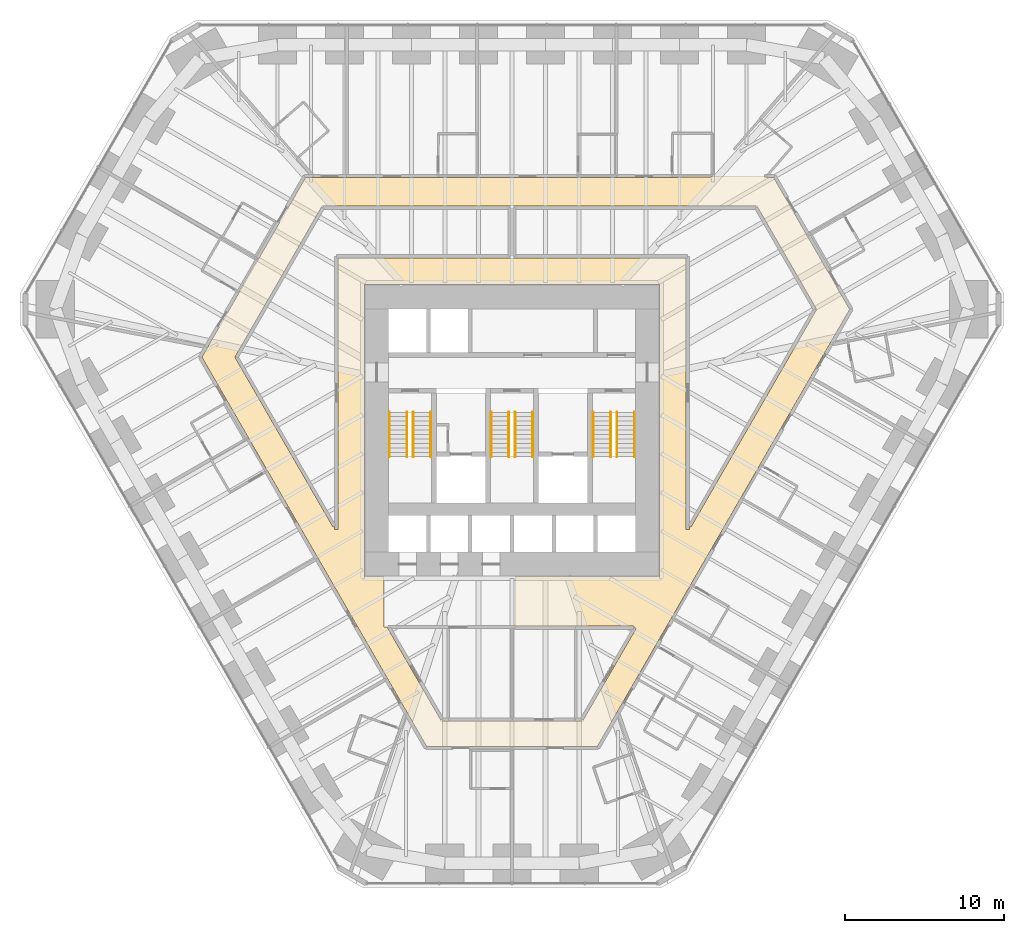
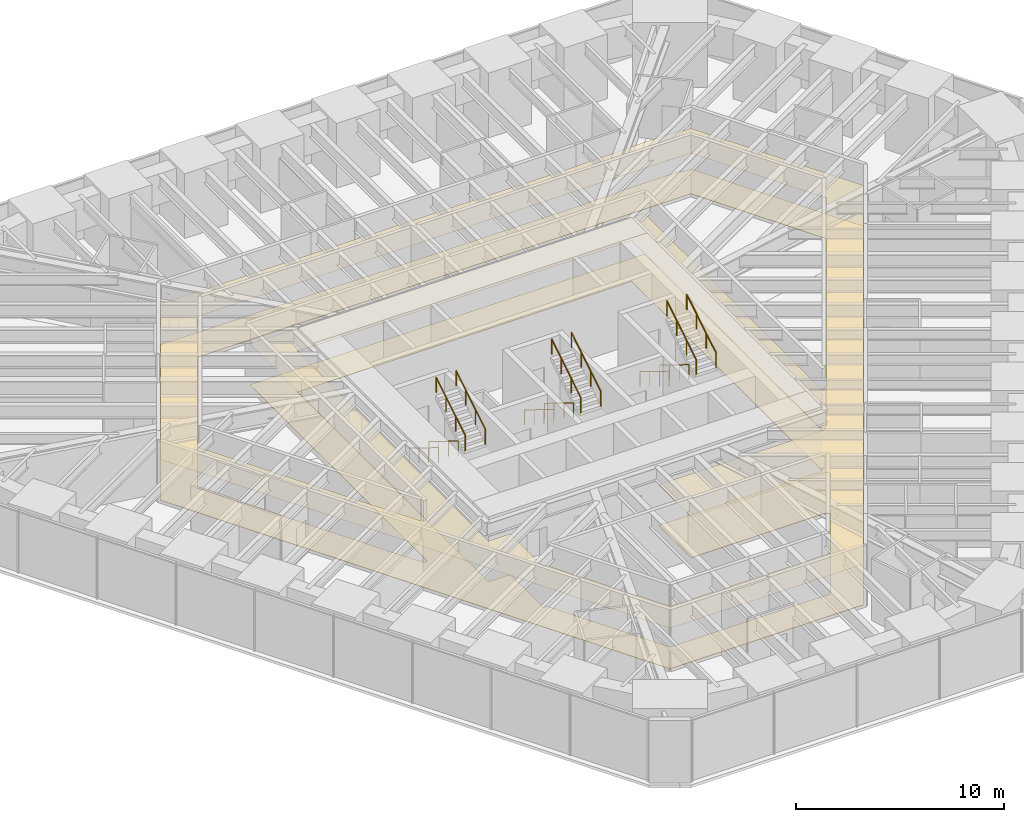
# One storey, part 17 of 17: 12 railings, 2 coverings.
"""IFC4 building model written with IfcOpenShell, lengths in metres."""

from ifc_helpers import new_model, si_unit, direction, frame, origin, origin_2d, place, context, subcontext, project, spatial, polyline, circle, outline, extrude, material, layer, layer_set, type_object, element, save


model = new_model("IFC4")

# Units and contexts
model_context = context("Model", 3, precision=1e-05, world=origin(), true_north=direction((0.0, 1.0)))
body_context = subcontext(model_context, "Body", "Model", "MODEL_VIEW")
ifc_project = project(units=[si_unit("LENGTHUNIT", "METRE"), si_unit("AREAUNIT", "SQUARE_METRE"), si_unit("VOLUMEUNIT", "CUBIC_METRE"), si_unit("PLANEANGLEUNIT", "RADIAN"), si_unit("MASSUNIT", "GRAM", prefix="KILO")], contexts=[model_context])

# Site, building, storey
site_placement = place(None, origin())
site = spatial("IfcSite", under=ifc_project, at=site_placement, CompositionType="ELEMENT")
building_placement = place(site_placement, origin())
building = spatial("IfcBuilding", under=site, at=building_placement, Name="Sandreach Pilgrim Tower", CompositionType="ELEMENT")
storey_placement = place(building_placement, frame((0.0, 0.0, 34.39990234375)))
storey = spatial("IfcBuildingStorey", under=building, at=storey_placement, Name="L07", CompositionType="ELEMENT", Elevation=34.39990234375)

# Covering
ifc_material_1 = material(Name="Gypsum board suspended ceiling on a steel grid", Category="steel")
ifc_layer_1 = layer(ifc_material_1, 0.012939453125)
ifc_layer_set_1 = layer_set([ifc_layer_1], Name="Gypsum board suspended ceiling")
covering_type_1 = type_object("IfcCoveringType", Name="Gypsum board suspended ceiling", PredefinedType="CEILING", material=ifc_layer_set_1)
covering_1_placement = place(storey_placement, frame((0.0, 0.0, 2.400146484375)))
element("IfcCovering", 1, at=covering_1_placement, inside=storey, type_object=covering_type_1, Name="Ceiling 07C Corridor 07", PredefinedType="CEILING", context=body_context, shape_type="SweptSolid", body=[
    extrude(outline(polyline([(-12.972412109375, 14.35009765625), (10.080078125, 14.35009765625), (11.064697265625, 14.389892578125), (12.510009765625, 14.389892578125), (12.510009765625, 14.44873046875), (12.55517578125, 14.410400390625), (12.588623046875, 14.44873046875), (15.8701171875, 14.44873046875), (15.8701171875, 14.389892578125), (15.959228515625, 14.389892578125), (16.02001953125, 14.35009765625), (16.442138671875, 14.35009765625), (21.224609375, 6.06005859375), (5.3623046875, -21.409912109375), (-5.3623046875, -21.409912109375), (-19.49462890625, 3.06005859375), (-12.972412109375, 14.35009765625)]), holes=[polyline([(-17.41552734375, 3.06005859375), (-11.24658203125, -7.61962890625), (-11.14990234375, -7.563720703125), (-11.14990234375, -7.760009765625), (-10.949951171875, -7.760009765625), (-10.949951171875, 9.300048828125), (10.949951171875, 9.300048828125), (10.949951171875, -7.760009765625), (11.14990234375, -7.760009765625), (11.14990234375, -7.563720703125), (11.24658203125, -7.61962890625), (19.1455078125, 6.06005859375), (15.397705078125, 12.550048828125), (-11.937744140625, 12.550048828125), (-17.41552734375, 3.06005859375)]), polyline([(-8.050048828125, -10.719970703125), (-8.050048828125, -13.89990234375), (-7.8544921875, -13.89990234375), (-4.437744140625, -19.81005859375), (4.437744140625, -19.81005859375), (7.796630859375, -14.0), (7.635009765625, -13.85009765625), (0.179931640625, -13.85009765625), (0.175048828125, -10.719970703125), (9.27001953125, -10.719970703125), (9.27001953125, 7.6201171875), (-9.27001953125, 7.6201171875), (-9.27001953125, -10.719970703125), (-8.050048828125, -10.719970703125)])]), origin(), (0.0, 0.0, 1.0), 0.012939453125),
])

# Railings
ifc_material_2 = material(Name="Stainless steel tube", Category="steel")
railing_type = type_object("IfcRailingType", Name="Stair handrail", PredefinedType="HANDRAIL", material=ifc_material_2)
for number, where, name in (
    (2, (-6.60009765625, -0.39990234375, 0.1728515625), "Handrail ST1 L07 flight 1"),
    (3, (-7.699951171875, -0.39990234375, 0.1728515625), "Handrail ST1 L07 flight 1"),
):
    element("IfcRailing", number, at=place(storey_placement, frame(where)), inside=storey, type_object=railing_type, Name=name, PredefinedType="HANDRAIL", context=body_context, shape_type="SweptSolid", body=[
        extrude(circle(Radius=0.02392578125, at=origin_2d()), frame((0.0, 0.0, 0.8759765625), z_axis=(0.0, -0.851089632645, 0.525020415988), x_axis=(1.0, 0.0, 0.0)), (0.0, 0.0, 1.0), 3.2900390625),
        extrude(circle(Radius=0.02099609375, at=origin_2d()), origin(), (0.0, 0.0, 1.0), 0.851806640625),
        extrude(circle(Radius=0.02099609375, at=origin_2d()), frame((0.0, -0.933349609375, 0.57568359375)), (0.0, 0.0, 1.0), 0.851806640625),
        extrude(circle(Radius=0.02099609375, at=origin_2d()), frame((0.0, -1.86669921875, 1.151611328125)), (0.0, 0.0, 1.0), 0.851806640625),
        extrude(circle(Radius=0.02099609375, at=origin_2d()), frame((0.0, -2.800048828125, 1.727294921875)), (0.0, 0.0, 1.0), 0.851806640625),
    ])
for number, where, name in (
    (4, (-6.199951171875, -3.199951171875, 2.07275390625), "Handrail ST1 L07 flight 2"),
    (5, (-5.10009765625, -3.199951171875, 2.07275390625), "Handrail ST1 L07 flight 2"),
):
    element("IfcRailing", number, at=place(storey_placement, frame(where)), inside=storey, type_object=railing_type, Name=name, PredefinedType="HANDRAIL", context=body_context, shape_type="SweptSolid", body=[
        extrude(circle(Radius=0.02392578125, at=origin_2d()), frame((0.0, 0.0, 0.8759765625), z_axis=(0.0, 0.851089632645, 0.525020415988), x_axis=(-1.0, 0.0, 0.0)), (0.0, 0.0, 1.0), 3.2900390625),
        extrude(circle(Radius=0.02099609375, at=origin_2d()), origin(), (0.0, 0.0, 1.0), 0.851806640625),
        extrude(circle(Radius=0.02099609375, at=origin_2d()), frame((0.0, 0.933349609375, 0.57568359375)), (0.0, 0.0, 1.0), 0.851806640625),
        extrude(circle(Radius=0.02099609375, at=origin_2d()), frame((0.0, 1.86669921875, 1.151611328125)), (0.0, 0.0, 1.0), 0.851806640625),
        extrude(circle(Radius=0.02099609375, at=origin_2d()), frame((0.0, 2.800048828125, 1.727294921875)), (0.0, 0.0, 1.0), 0.851806640625),
    ])
for number, where, name in (
    (6, (-0.199951171875, -0.39990234375, 0.1728515625), "Handrail ST3 L07 flight 1"),
    (7, (-1.300048828125, -0.39990234375, 0.1728515625), "Handrail ST3 L07 flight 1"),
):
    element("IfcRailing", number, at=place(storey_placement, frame(where)), inside=storey, type_object=railing_type, Name=name, PredefinedType="HANDRAIL", context=body_context, shape_type="SweptSolid", body=[
        extrude(circle(Radius=0.02392578125, at=origin_2d()), frame((0.0, 0.0, 0.8759765625), z_axis=(0.0, -0.851089632645, 0.525020415988), x_axis=(1.0, 0.0, 0.0)), (0.0, 0.0, 1.0), 3.2900390625),
        extrude(circle(Radius=0.02099609375, at=origin_2d()), origin(), (0.0, 0.0, 1.0), 0.851806640625),
        extrude(circle(Radius=0.02099609375, at=origin_2d()), frame((0.0, -0.933349609375, 0.57568359375)), (0.0, 0.0, 1.0), 0.851806640625),
        extrude(circle(Radius=0.02099609375, at=origin_2d()), frame((0.0, -1.86669921875, 1.151611328125)), (0.0, 0.0, 1.0), 0.851806640625),
        extrude(circle(Radius=0.02099609375, at=origin_2d()), frame((0.0, -2.800048828125, 1.727294921875)), (0.0, 0.0, 1.0), 0.851806640625),
    ])
for number, where, name in (
    (8, (0.199951171875, -3.199951171875, 2.07275390625), "Handrail ST3 L07 flight 2"),
    (9, (1.300048828125, -3.199951171875, 2.07275390625), "Handrail ST3 L07 flight 2"),
):
    element("IfcRailing", number, at=place(storey_placement, frame(where)), inside=storey, type_object=railing_type, Name=name, PredefinedType="HANDRAIL", context=body_context, shape_type="SweptSolid", body=[
        extrude(circle(Radius=0.02392578125, at=origin_2d()), frame((0.0, 0.0, 0.8759765625), z_axis=(0.0, 0.851089632645, 0.525020415988), x_axis=(-1.0, 0.0, 0.0)), (0.0, 0.0, 1.0), 3.2900390625),
        extrude(circle(Radius=0.02099609375, at=origin_2d()), origin(), (0.0, 0.0, 1.0), 0.851806640625),
        extrude(circle(Radius=0.02099609375, at=origin_2d()), frame((0.0, 0.933349609375, 0.57568359375)), (0.0, 0.0, 1.0), 0.851806640625),
        extrude(circle(Radius=0.02099609375, at=origin_2d()), frame((0.0, 1.86669921875, 1.151611328125)), (0.0, 0.0, 1.0), 0.851806640625),
        extrude(circle(Radius=0.02099609375, at=origin_2d()), frame((0.0, 2.800048828125, 1.727294921875)), (0.0, 0.0, 1.0), 0.851806640625),
    ])
for number, where, name in (
    (10, (6.199951171875, -0.39990234375, 0.1728515625), "Handrail ST2 L07 flight 1"),
    (11, (5.10009765625, -0.39990234375, 0.1728515625), "Handrail ST2 L07 flight 1"),
):
    element("IfcRailing", number, at=place(storey_placement, frame(where)), inside=storey, type_object=railing_type, Name=name, PredefinedType="HANDRAIL", context=body_context, shape_type="SweptSolid", body=[
        extrude(circle(Radius=0.02392578125, at=origin_2d()), frame((0.0, 0.0, 0.8759765625), z_axis=(0.0, -0.851089632645, 0.525020415988), x_axis=(1.0, 0.0, 0.0)), (0.0, 0.0, 1.0), 3.2900390625),
        extrude(circle(Radius=0.02099609375, at=origin_2d()), origin(), (0.0, 0.0, 1.0), 0.851806640625),
        extrude(circle(Radius=0.02099609375, at=origin_2d()), frame((0.0, -0.933349609375, 0.57568359375)), (0.0, 0.0, 1.0), 0.851806640625),
        extrude(circle(Radius=0.02099609375, at=origin_2d()), frame((0.0, -1.86669921875, 1.151611328125)), (0.0, 0.0, 1.0), 0.851806640625),
        extrude(circle(Radius=0.02099609375, at=origin_2d()), frame((0.0, -2.800048828125, 1.727294921875)), (0.0, 0.0, 1.0), 0.851806640625),
    ])
for number, where, name in (
    (12, (6.60009765625, -3.199951171875, 2.07275390625), "Handrail ST2 L07 flight 2"),
    (13, (7.699951171875, -3.199951171875, 2.07275390625), "Handrail ST2 L07 flight 2"),
):
    element("IfcRailing", number, at=place(storey_placement, frame(where)), inside=storey, type_object=railing_type, Name=name, PredefinedType="HANDRAIL", context=body_context, shape_type="SweptSolid", body=[
        extrude(circle(Radius=0.02392578125, at=origin_2d()), frame((0.0, 0.0, 0.8759765625), z_axis=(0.0, 0.851089632645, 0.525020415988), x_axis=(-1.0, 0.0, 0.0)), (0.0, 0.0, 1.0), 3.2900390625),
        extrude(circle(Radius=0.02099609375, at=origin_2d()), origin(), (0.0, 0.0, 1.0), 0.851806640625),
        extrude(circle(Radius=0.02099609375, at=origin_2d()), frame((0.0, 0.933349609375, 0.57568359375)), (0.0, 0.0, 1.0), 0.851806640625),
        extrude(circle(Radius=0.02099609375, at=origin_2d()), frame((0.0, 1.86669921875, 1.151611328125)), (0.0, 0.0, 1.0), 0.851806640625),
        extrude(circle(Radius=0.02099609375, at=origin_2d()), frame((0.0, 2.800048828125, 1.727294921875)), (0.0, 0.0, 1.0), 0.851806640625),
    ])

# Covering
ifc_material_3 = material(Name="Cement terrazzo, ground and polished", Category="terrazzo")
ifc_layer_2 = layer(ifc_material_3, 0.02490234375)
ifc_layer_set_2 = layer_set([ifc_layer_2], Name="Terrazzo")
covering_type_2 = type_object("IfcCoveringType", Name="Terrazzo", PredefinedType="FLOORING", material=ifc_layer_set_2)
covering_2_placement = place(storey_placement, origin())
element("IfcCovering", 14, at=covering_2_placement, inside=storey, type_object=covering_type_2, Name="Floor finish 07C Corridor 07", PredefinedType="FLOORING", context=body_context, shape_type="SweptSolid", body=[
    extrude(outline(polyline([(-12.972412109375, 14.35009765625), (10.080078125, 14.35009765625), (11.064697265625, 14.389892578125), (12.510009765625, 14.389892578125), (12.510009765625, 14.44873046875), (12.55517578125, 14.410400390625), (12.588623046875, 14.44873046875), (15.8701171875, 14.44873046875), (15.8701171875, 14.389892578125), (15.959228515625, 14.389892578125), (16.02001953125, 14.35009765625), (16.442138671875, 14.35009765625), (21.224609375, 6.06005859375), (5.3623046875, -21.409912109375), (-5.3623046875, -21.409912109375), (-19.49462890625, 3.06005859375), (-12.972412109375, 14.35009765625)]), holes=[polyline([(-17.41552734375, 3.06005859375), (-11.24658203125, -7.61962890625), (-11.14990234375, -7.563720703125), (-11.14990234375, -7.760009765625), (-10.949951171875, -7.760009765625), (-10.949951171875, 9.300048828125), (10.949951171875, 9.300048828125), (10.949951171875, -7.760009765625), (11.14990234375, -7.760009765625), (11.14990234375, -7.563720703125), (11.24658203125, -7.61962890625), (19.1455078125, 6.06005859375), (15.397705078125, 12.550048828125), (-11.937744140625, 12.550048828125), (-17.41552734375, 3.06005859375)]), polyline([(-8.050048828125, -10.719970703125), (-8.050048828125, -13.89990234375), (-7.8544921875, -13.89990234375), (-4.437744140625, -19.81005859375), (4.437744140625, -19.81005859375), (7.796630859375, -14.0), (7.635009765625, -13.85009765625), (0.179931640625, -13.85009765625), (0.175048828125, -10.719970703125), (9.27001953125, -10.719970703125), (9.27001953125, 7.6201171875), (-9.27001953125, 7.6201171875), (-9.27001953125, -10.719970703125), (-8.050048828125, -10.719970703125)])]), origin(), (0.0, 0.0, 1.0), 0.025146484375),
])

save(model, "model.ifc")
